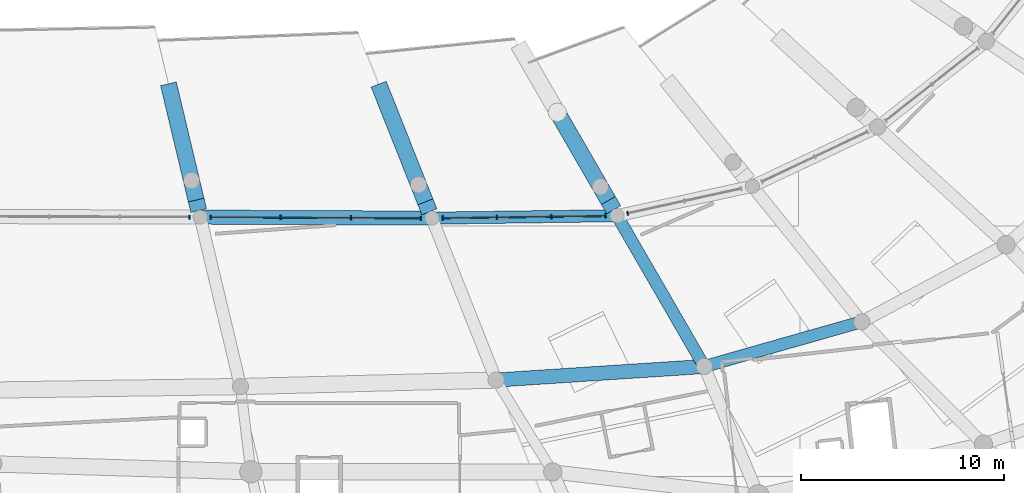
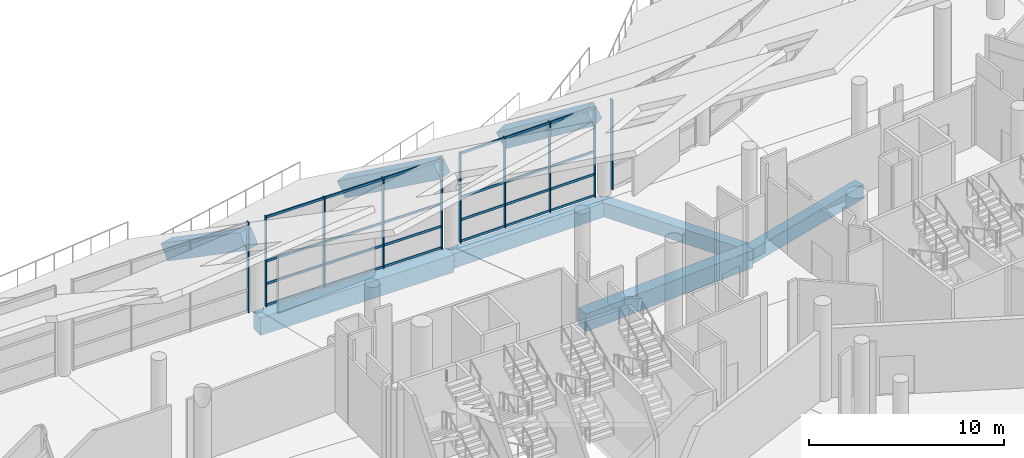
# One storey, part 34 of 249: 34 members, 8 beams, 4 elements without a shape of their own.
"""IFC4 building model written with IfcOpenShell, lengths in metres."""

from ifc_helpers import new_model, si_unit, direction, frame, origin, origin_2d, place, context, subcontext, project, spatial, rectangle, extrude, material, layer, layer_set, material_profile, profile_set, type_object, element, aggregate, save


model = new_model("IFC4")

# Units and contexts
model_context = context("Model", 3, precision=1e-05, world=origin(), true_north=direction((0.0, 1.0)))
body_context = subcontext(model_context, "Body", "Model", "MODEL_VIEW")
ifc_project = project(units=[si_unit("LENGTHUNIT", "METRE"), si_unit("AREAUNIT", "SQUARE_METRE"), si_unit("VOLUMEUNIT", "CUBIC_METRE"), si_unit("PLANEANGLEUNIT", "RADIAN"), si_unit("MASSUNIT", "GRAM", prefix="KILO")], contexts=[model_context])

# Site, building, storey
site_placement = place(None, origin())
site = spatial("IfcSite", under=ifc_project, at=site_placement, CompositionType="ELEMENT")
building_placement = place(site_placement, origin())
building = spatial("IfcBuilding", under=site, at=building_placement, Name="Meseta Stadium", CompositionType="ELEMENT")
storey_placement = place(building_placement, frame((0.0, 0.0, 12.0)))
storey = spatial("IfcBuildingStorey", under=building, at=storey_placement, Name="L02", CompositionType="ELEMENT", Elevation=12.0)

# Curtain wall, member
ifc_material_1 = material(Name="Aluminium", Category="aluminium")
ifc_layer = layer(ifc_material_1, 0.199951171875)
ifc_layer_set = layer_set([ifc_layer], Name="Suite glazing curtain wall")
curtain_wall_type = type_object("IfcCurtainWallType", Name="Suite glazing curtain wall", PredefinedType="NOTDEFINED", material=ifc_layer_set)
curtain_wall_1_placement = place(storey_placement, origin())
curtain_wall_1 = element("IfcCurtainWall", 1, at=curtain_wall_1_placement, inside=storey, type_object=curtain_wall_type, Name="Suite glazing bay 47", PredefinedType="NOTDEFINED")
ifc_material_2 = material(Name="Aluminium", Category="aluminium")
ifc_material_profile_1 = material_profile(ifc_material_2, rectangle(XDim=0.199951171875, YDim=0.06005859375, at=origin_2d()), Name="CW 200x60")
ifc_profile_set_1 = profile_set([ifc_material_profile_1], Name="Aluminium")
member_type_1 = type_object("IfcMemberType", Name="CW mullion 60x200", PredefinedType="MULLION", material=ifc_profile_set_1)
member_1_placement = place(storey_placement, frame((16.60400390625, -77.330810546875, 0.0), z_axis=(0.0, 0.0, 1.0), x_axis=(0.002485957037, 0.999996910004, 0.0)))
member_1 = element("IfcMember", 2, at=member_1_placement, type_object=member_type_1, Name="CWS mullion 4", PredefinedType="MULLION", context=body_context, shape_type="SweptSolid", body=[
    extrude(rectangle(XDim=0.199951171875, YDim=0.06005859375, at=origin_2d()), origin(), (0.0, 0.0, 1.0), 5.64990234375),
])
aggregate(curtain_wall_1, [member_1])

# Curtain wall, members
curtain_wall_2_placement = place(storey_placement, origin())
curtain_wall_2 = element("IfcCurtainWall", 3, at=curtain_wall_2_placement, inside=storey, type_object=curtain_wall_type, Name="Suite glazing bay 48", PredefinedType="NOTDEFINED")
member_2_placement = place(storey_placement, frame((17.6494140625, -77.33447265625, 0.0), z_axis=(0.0, 0.0, 1.0), x_axis=(0.004468565348, 0.999990015912, 0.0)))
member_2 = element("IfcMember", 4, at=member_2_placement, type_object=member_type_1, Name="CWS mullion 1", PredefinedType="MULLION", context=body_context, shape_type="SweptSolid", body=[
    extrude(rectangle(XDim=0.199951171875, YDim=0.06005859375, at=origin_2d()), origin(), (0.0, 0.0, 1.0), 5.64990234375),
])
member_3_placement = place(storey_placement, frame((21.095947265625, -77.349853515625, 0.0), z_axis=(0.0, 0.0, 1.0), x_axis=(0.004468565348, 0.999990015912, 0.0)))
member_3 = element("IfcMember", 5, at=member_3_placement, type_object=member_type_1, Name="CWS mullion 2", PredefinedType="MULLION", context=body_context, shape_type="SweptSolid", body=[
    extrude(rectangle(XDim=0.199951171875, YDim=0.06005859375, at=origin_2d()), origin(), (0.0, 0.0, 1.0), 5.64990234375),
])
member_4_placement = place(storey_placement, frame((24.572265625, -77.365478515625, 0.0), z_axis=(0.0, 0.0, 1.0), x_axis=(0.004468565348, 0.999990015912, 0.0)))
member_4 = element("IfcMember", 6, at=member_4_placement, type_object=member_type_1, Name="CWS mullion 3", PredefinedType="MULLION", context=body_context, shape_type="SweptSolid", body=[
    extrude(rectangle(XDim=0.199951171875, YDim=0.06005859375, at=origin_2d()), origin(), (0.0, 0.0, 1.0), 5.64990234375),
])
member_5_placement = place(storey_placement, frame((28.0185546875, -77.380859375, 0.0), z_axis=(0.0, 0.0, 1.0), x_axis=(0.004468565348, 0.999990015912, 0.0)))
member_5 = element("IfcMember", 7, at=member_5_placement, type_object=member_type_1, Name="CWS mullion 4", PredefinedType="MULLION", context=body_context, shape_type="SweptSolid", body=[
    extrude(rectangle(XDim=0.199951171875, YDim=0.06005859375, at=origin_2d()), origin(), (0.0, 0.0, 1.0), 5.64990234375),
])

curtain_wall_3_placement = place(storey_placement, origin())
curtain_wall_3 = element("IfcCurtainWall", 8, at=curtain_wall_3_placement, inside=storey, type_object=curtain_wall_type, Name="Suite glazing bay 49", PredefinedType="NOTDEFINED")
member_6_placement = place(storey_placement, frame((29.107421875, -77.3759765625, 0.0), z_axis=(0.0, 0.0, 1.0), x_axis=(-0.013281177042, 0.999911801279, 0.0)))
member_6 = element("IfcMember", 9, at=member_6_placement, type_object=member_type_1, Name="CWS mullion 1", PredefinedType="MULLION", context=body_context, shape_type="SweptSolid", body=[
    extrude(rectangle(XDim=0.199951171875, YDim=0.06005859375, at=origin_2d()), origin(), (0.0, 0.0, 1.0), 5.64990234375),
])
member_7_placement = place(storey_placement, frame((31.7724609375, -77.340576171875, 0.0), z_axis=(0.0, 0.0, 1.0), x_axis=(-0.013281177042, 0.999911801279, 0.0)))
member_7 = element("IfcMember", 10, at=member_7_placement, type_object=member_type_1, Name="CWS mullion 2", PredefinedType="MULLION", context=body_context, shape_type="SweptSolid", body=[
    extrude(rectangle(XDim=0.199951171875, YDim=0.06005859375, at=origin_2d()), origin(), (0.0, 0.0, 1.0), 5.64990234375),
])
member_8_placement = place(storey_placement, frame((34.4677734375, -77.3046875, 0.0), z_axis=(0.0, 0.0, 1.0), x_axis=(-0.013281177042, 0.999911801279, 0.0)))
member_8 = element("IfcMember", 11, at=member_8_placement, type_object=member_type_1, Name="CWS mullion 3", PredefinedType="MULLION", context=body_context, shape_type="SweptSolid", body=[
    extrude(rectangle(XDim=0.199951171875, YDim=0.06005859375, at=origin_2d()), origin(), (0.0, 0.0, 1.0), 5.64990234375),
])
member_9_placement = place(storey_placement, frame((37.1328125, -77.269287109375, 0.0), z_axis=(0.0, 0.0, 1.0), x_axis=(-0.013281177042, 0.999911801279, 0.0)))
member_9 = element("IfcMember", 12, at=member_9_placement, type_object=member_type_1, Name="CWS mullion 4", PredefinedType="MULLION", context=body_context, shape_type="SweptSolid", body=[
    extrude(rectangle(XDim=0.199951171875, YDim=0.06005859375, at=origin_2d()), origin(), (0.0, 0.0, 1.0), 5.64990234375),
])

# Curtain wall, member
curtain_wall_4_placement = place(storey_placement, origin())
curtain_wall_4 = element("IfcCurtainWall", 13, at=curtain_wall_4_placement, inside=storey, type_object=curtain_wall_type, Name="Suite glazing bay 50", PredefinedType="NOTDEFINED")
member_10_placement = place(storey_placement, frame((38.232421875, -77.148193359375, 0.0), z_axis=(0.0, 0.0, 1.0), x_axis=(-0.21291694712, 0.977070301273, 0.0)))
member_10 = element("IfcMember", 14, at=member_10_placement, type_object=member_type_1, Name="CWS mullion 1", PredefinedType="MULLION", context=body_context, shape_type="SweptSolid", body=[
    extrude(rectangle(XDim=0.199951171875, YDim=0.06005859375, at=origin_2d()), origin(), (0.0, 0.0, 1.0), 5.64990234375),
])
aggregate(curtain_wall_4, [member_10])

# Member
ifc_material_3 = material(Name="Aluminium", Category="aluminium")
ifc_material_profile_2 = material_profile(ifc_material_3, rectangle(XDim=0.06005859375, YDim=0.14990234375, at=origin_2d()), Name="CW 60x150")
ifc_profile_set_2 = profile_set([ifc_material_profile_2], Name="Aluminium")
member_type_2 = type_object("IfcMemberType", Name="CW transom 60x150", PredefinedType="USERDEFINED", material=ifc_profile_set_2)
member_11_placement = place(storey_placement, frame((17.679443359375, -77.33447265625, 0.074951171875), z_axis=(0.999990010786, -0.004469712398, 0.0), x_axis=(0.004469712398, 0.999990010786, 0.0)))
member_11 = element("IfcMember", 15, at=member_11_placement, type_object=member_type_2, Name="CWS transom 1.1", ObjectType="TRANSOM", PredefinedType="USERDEFINED", context=body_context, shape_type="SweptSolid", body=[
    extrude(rectangle(XDim=0.06005859375, YDim=0.14990234375, at=origin_2d()), origin(), (0.0, 0.0, 1.0), 3.386474609375),
])

member_12_placement = place(storey_placement, frame((17.679443359375, -77.33447265625, 1.41259765625), z_axis=(0.999990010786, -0.004469712398, 0.0), x_axis=(0.004469712398, 0.999990010786, 0.0)))
member_12 = element("IfcMember", 16, at=member_12_placement, type_object=member_type_2, Name="CWS transom 1.2", ObjectType="TRANSOM", PredefinedType="USERDEFINED", context=body_context, shape_type="SweptSolid", body=[
    extrude(rectangle(XDim=0.06005859375, YDim=0.14990234375, at=origin_2d()), origin(), (0.0, 0.0, 1.0), 3.386474609375),
])

member_13_placement = place(storey_placement, frame((17.679443359375, -77.33447265625, 2.824951171875), z_axis=(0.999990010786, -0.004469712398, 0.0), x_axis=(0.004469712398, 0.999990010786, 0.0)))
member_13 = element("IfcMember", 17, at=member_13_placement, type_object=member_type_2, Name="CWS transom 1.3", ObjectType="TRANSOM", PredefinedType="USERDEFINED", context=body_context, shape_type="SweptSolid", body=[
    extrude(rectangle(XDim=0.06005859375, YDim=0.14990234375, at=origin_2d()), origin(), (0.0, 0.0, 1.0), 3.386474609375),
])

member_14_placement = place(storey_placement, frame((17.679443359375, -77.33447265625, 5.574951171875), z_axis=(0.999990010786, -0.004469712398, 0.0), x_axis=(0.004469712398, 0.999990010786, 0.0)))
member_14 = element("IfcMember", 18, at=member_14_placement, type_object=member_type_2, Name="CWS transom 1.4", ObjectType="TRANSOM", PredefinedType="USERDEFINED", context=body_context, shape_type="SweptSolid", body=[
    extrude(rectangle(XDim=0.06005859375, YDim=0.14990234375, at=origin_2d()), origin(), (0.0, 0.0, 1.0), 3.386474609375),
])

member_15_placement = place(storey_placement, frame((21.1259765625, -77.349853515625, 0.074951171875), z_axis=(0.999989865021, -0.004502205495, 0.0), x_axis=(0.004502205495, 0.999989865021, 0.0)))
member_15 = element("IfcMember", 19, at=member_15_placement, type_object=member_type_2, Name="CWS transom 2.1", ObjectType="TRANSOM", PredefinedType="USERDEFINED", context=body_context, shape_type="SweptSolid", body=[
    extrude(rectangle(XDim=0.06005859375, YDim=0.14990234375, at=origin_2d()), origin(), (0.0, 0.0, 1.0), 3.416259765625),
])

member_16_placement = place(storey_placement, frame((21.1259765625, -77.349853515625, 1.41259765625), z_axis=(0.999989865021, -0.004502205495, 0.0), x_axis=(0.004502205495, 0.999989865021, 0.0)))
member_16 = element("IfcMember", 20, at=member_16_placement, type_object=member_type_2, Name="CWS transom 2.2", ObjectType="TRANSOM", PredefinedType="USERDEFINED", context=body_context, shape_type="SweptSolid", body=[
    extrude(rectangle(XDim=0.06005859375, YDim=0.14990234375, at=origin_2d()), origin(), (0.0, 0.0, 1.0), 3.416259765625),
])

member_17_placement = place(storey_placement, frame((21.1259765625, -77.349853515625, 2.824951171875), z_axis=(0.999989865021, -0.004502205495, 0.0), x_axis=(0.004502205495, 0.999989865021, 0.0)))
member_17 = element("IfcMember", 21, at=member_17_placement, type_object=member_type_2, Name="CWS transom 2.3", ObjectType="TRANSOM", PredefinedType="USERDEFINED", context=body_context, shape_type="SweptSolid", body=[
    extrude(rectangle(XDim=0.06005859375, YDim=0.14990234375, at=origin_2d()), origin(), (0.0, 0.0, 1.0), 3.416259765625),
])

member_18_placement = place(storey_placement, frame((21.1259765625, -77.349853515625, 5.574951171875), z_axis=(0.999989865021, -0.004502205495, 0.0), x_axis=(0.004502205495, 0.999989865021, 0.0)))
member_18 = element("IfcMember", 22, at=member_18_placement, type_object=member_type_2, Name="CWS transom 2.4", ObjectType="TRANSOM", PredefinedType="USERDEFINED", context=body_context, shape_type="SweptSolid", body=[
    extrude(rectangle(XDim=0.06005859375, YDim=0.14990234375, at=origin_2d()), origin(), (0.0, 0.0, 1.0), 3.416259765625),
])

member_19_placement = place(storey_placement, frame((24.602294921875, -77.365478515625, 0.074951171875), z_axis=(0.999990009345, -0.004470034649, 0.0), x_axis=(0.004470034649, 0.999990009345, 0.0)))
member_19 = element("IfcMember", 23, at=member_19_placement, type_object=member_type_2, Name="CWS transom 3.1", ObjectType="TRANSOM", PredefinedType="USERDEFINED", context=body_context, shape_type="SweptSolid", body=[
    extrude(rectangle(XDim=0.06005859375, YDim=0.14990234375, at=origin_2d()), origin(), (0.0, 0.0, 1.0), 3.38623046875),
])

member_20_placement = place(storey_placement, frame((24.602294921875, -77.365478515625, 1.41259765625), z_axis=(0.999990009345, -0.004470034649, 0.0), x_axis=(0.004470034649, 0.999990009345, 0.0)))
member_20 = element("IfcMember", 24, at=member_20_placement, type_object=member_type_2, Name="CWS transom 3.2", ObjectType="TRANSOM", PredefinedType="USERDEFINED", context=body_context, shape_type="SweptSolid", body=[
    extrude(rectangle(XDim=0.06005859375, YDim=0.14990234375, at=origin_2d()), origin(), (0.0, 0.0, 1.0), 3.38623046875),
])

member_21_placement = place(storey_placement, frame((24.602294921875, -77.365478515625, 2.824951171875), z_axis=(0.999990009345, -0.004470034649, 0.0), x_axis=(0.004470034649, 0.999990009345, 0.0)))
member_21 = element("IfcMember", 25, at=member_21_placement, type_object=member_type_2, Name="CWS transom 3.3", ObjectType="TRANSOM", PredefinedType="USERDEFINED", context=body_context, shape_type="SweptSolid", body=[
    extrude(rectangle(XDim=0.06005859375, YDim=0.14990234375, at=origin_2d()), origin(), (0.0, 0.0, 1.0), 3.38623046875),
])

member_22_placement = place(storey_placement, frame((24.602294921875, -77.365478515625, 5.574951171875), z_axis=(0.999990009345, -0.004470034649, 0.0), x_axis=(0.004470034649, 0.999990009345, 0.0)))
member_22 = element("IfcMember", 26, at=member_22_placement, type_object=member_type_2, Name="CWS transom 3.4", ObjectType="TRANSOM", PredefinedType="USERDEFINED", context=body_context, shape_type="SweptSolid", body=[
    extrude(rectangle(XDim=0.06005859375, YDim=0.14990234375, at=origin_2d()), origin(), (0.0, 0.0, 1.0), 3.38623046875),
])

aggregate(curtain_wall_2, [member_2, member_3, member_4, member_5, member_11, member_12, member_13, member_14, member_15, member_16, member_17, member_18, member_19, member_20, member_21, member_22])

member_23_placement = place(storey_placement, frame((29.137451171875, -77.37548828125, 0.074951171875), z_axis=(0.999912698337, 0.013213466773, 0.0), x_axis=(-0.013213466773, 0.999912698337, 0.0)))
member_23 = element("IfcMember", 27, at=member_23_placement, type_object=member_type_2, Name="CWS transom 1.1", ObjectType="TRANSOM", PredefinedType="USERDEFINED", context=body_context, shape_type="SweptSolid", body=[
    extrude(rectangle(XDim=0.06005859375, YDim=0.14990234375, at=origin_2d()), origin(), (0.0, 0.0, 1.0), 2.605224609375),
])

member_24_placement = place(storey_placement, frame((29.137451171875, -77.37548828125, 1.41259765625), z_axis=(0.999912698337, 0.013213466773, 0.0), x_axis=(-0.013213466773, 0.999912698337, 0.0)))
member_24 = element("IfcMember", 28, at=member_24_placement, type_object=member_type_2, Name="CWS transom 1.2", ObjectType="TRANSOM", PredefinedType="USERDEFINED", context=body_context, shape_type="SweptSolid", body=[
    extrude(rectangle(XDim=0.06005859375, YDim=0.14990234375, at=origin_2d()), origin(), (0.0, 0.0, 1.0), 2.605224609375),
])

member_25_placement = place(storey_placement, frame((29.137451171875, -77.37548828125, 2.824951171875), z_axis=(0.999912698337, 0.013213466773, 0.0), x_axis=(-0.013213466773, 0.999912698337, 0.0)))
member_25 = element("IfcMember", 29, at=member_25_placement, type_object=member_type_2, Name="CWS transom 1.3", ObjectType="TRANSOM", PredefinedType="USERDEFINED", context=body_context, shape_type="SweptSolid", body=[
    extrude(rectangle(XDim=0.06005859375, YDim=0.14990234375, at=origin_2d()), origin(), (0.0, 0.0, 1.0), 2.605224609375),
])

member_26_placement = place(storey_placement, frame((29.137451171875, -77.37548828125, 5.574951171875), z_axis=(0.999912698337, 0.013213466773, 0.0), x_axis=(-0.013213466773, 0.999912698337, 0.0)))
member_26 = element("IfcMember", 30, at=member_26_placement, type_object=member_type_2, Name="CWS transom 1.4", ObjectType="TRANSOM", PredefinedType="USERDEFINED", context=body_context, shape_type="SweptSolid", body=[
    extrude(rectangle(XDim=0.06005859375, YDim=0.14990234375, at=origin_2d()), origin(), (0.0, 0.0, 1.0), 2.605224609375),
])

member_27_placement = place(storey_placement, frame((31.802490234375, -77.340087890625, 0.074951171875), z_axis=(0.999912255463, 0.013246938348, 0.0), x_axis=(-0.013246938348, 0.999912255463, 0.0)))
member_27 = element("IfcMember", 31, at=member_27_placement, type_object=member_type_2, Name="CWS transom 2.1", ObjectType="TRANSOM", PredefinedType="USERDEFINED", context=body_context, shape_type="SweptSolid", body=[
    extrude(rectangle(XDim=0.06005859375, YDim=0.14990234375, at=origin_2d()), origin(), (0.0, 0.0, 1.0), 2.635498046875),
])

member_28_placement = place(storey_placement, frame((31.802490234375, -77.340087890625, 1.41259765625), z_axis=(0.999912255463, 0.013246938348, 0.0), x_axis=(-0.013246938348, 0.999912255463, 0.0)))
member_28 = element("IfcMember", 32, at=member_28_placement, type_object=member_type_2, Name="CWS transom 2.2", ObjectType="TRANSOM", PredefinedType="USERDEFINED", context=body_context, shape_type="SweptSolid", body=[
    extrude(rectangle(XDim=0.06005859375, YDim=0.14990234375, at=origin_2d()), origin(), (0.0, 0.0, 1.0), 2.635498046875),
])

member_29_placement = place(storey_placement, frame((31.802490234375, -77.340087890625, 2.824951171875), z_axis=(0.999912255463, 0.013246938348, 0.0), x_axis=(-0.013246938348, 0.999912255463, 0.0)))
member_29 = element("IfcMember", 33, at=member_29_placement, type_object=member_type_2, Name="CWS transom 2.3", ObjectType="TRANSOM", PredefinedType="USERDEFINED", context=body_context, shape_type="SweptSolid", body=[
    extrude(rectangle(XDim=0.06005859375, YDim=0.14990234375, at=origin_2d()), origin(), (0.0, 0.0, 1.0), 2.635498046875),
])

member_30_placement = place(storey_placement, frame((31.802490234375, -77.340087890625, 5.574951171875), z_axis=(0.999912255463, 0.013246938348, 0.0), x_axis=(-0.013246938348, 0.999912255463, 0.0)))
member_30 = element("IfcMember", 34, at=member_30_placement, type_object=member_type_2, Name="CWS transom 2.4", ObjectType="TRANSOM", PredefinedType="USERDEFINED", context=body_context, shape_type="SweptSolid", body=[
    extrude(rectangle(XDim=0.06005859375, YDim=0.14990234375, at=origin_2d()), origin(), (0.0, 0.0, 1.0), 2.635498046875),
])

member_31_placement = place(storey_placement, frame((34.49755859375, -77.304443359375, 0.074951171875), z_axis=(0.999911472382, 0.013305915948, 0.0), x_axis=(-0.013305915948, 0.999911472382, 0.0)))
member_31 = element("IfcMember", 35, at=member_31_placement, type_object=member_type_2, Name="CWS transom 3.1", ObjectType="TRANSOM", PredefinedType="USERDEFINED", context=body_context, shape_type="SweptSolid", body=[
    extrude(rectangle(XDim=0.06005859375, YDim=0.14990234375, at=origin_2d()), origin(), (0.0, 0.0, 1.0), 2.60546875),
])

member_32_placement = place(storey_placement, frame((34.49755859375, -77.304443359375, 1.41259765625), z_axis=(0.999911472382, 0.013305915948, 0.0), x_axis=(-0.013305915948, 0.999911472382, 0.0)))
member_32 = element("IfcMember", 36, at=member_32_placement, type_object=member_type_2, Name="CWS transom 3.2", ObjectType="TRANSOM", PredefinedType="USERDEFINED", context=body_context, shape_type="SweptSolid", body=[
    extrude(rectangle(XDim=0.06005859375, YDim=0.14990234375, at=origin_2d()), origin(), (0.0, 0.0, 1.0), 2.60546875),
])

member_33_placement = place(storey_placement, frame((34.49755859375, -77.304443359375, 2.824951171875), z_axis=(0.999911472382, 0.013305915948, 0.0), x_axis=(-0.013305915948, 0.999911472382, 0.0)))
member_33 = element("IfcMember", 37, at=member_33_placement, type_object=member_type_2, Name="CWS transom 3.3", ObjectType="TRANSOM", PredefinedType="USERDEFINED", context=body_context, shape_type="SweptSolid", body=[
    extrude(rectangle(XDim=0.06005859375, YDim=0.14990234375, at=origin_2d()), origin(), (0.0, 0.0, 1.0), 2.60546875),
])

member_34_placement = place(storey_placement, frame((34.49755859375, -77.304443359375, 5.574951171875), z_axis=(0.999911472382, 0.013305915948, 0.0), x_axis=(-0.013305915948, 0.999911472382, 0.0)))
member_34 = element("IfcMember", 38, at=member_34_placement, type_object=member_type_2, Name="CWS transom 3.4", ObjectType="TRANSOM", PredefinedType="USERDEFINED", context=body_context, shape_type="SweptSolid", body=[
    extrude(rectangle(XDim=0.06005859375, YDim=0.14990234375, at=origin_2d()), origin(), (0.0, 0.0, 1.0), 2.60546875),
])

aggregate(curtain_wall_3, [member_6, member_7, member_8, member_9, member_23, member_24, member_25, member_26, member_27, member_28, member_29, member_30, member_31, member_32, member_33, member_34])

# Beams
ifc_material_4 = material(Name="Concrete C40/50", Category="concrete")
ifc_material_profile_3 = material_profile(ifc_material_4, rectangle(XDim=0.60009765625, YDim=0.89990234375, at=origin_2d()), Name="RC 600x900")
ifc_profile_set_3 = profile_set([ifc_material_profile_3], Name="Concrete C40/50")
beam_type_1 = type_object("IfcBeamType", Name="RC beam 600x900", PredefinedType="BEAM", material=ifc_profile_set_3)
beam_1_placement = place(storey_placement, frame((28.564697265625, -77.38330078125, -0.800048828125), z_axis=(0.999911672388, 0.013290877405, 0.0), x_axis=(-0.013290877405, 0.999911672388, 0.0)))
element("IfcBeam", 39, at=beam_1_placement, inside=storey, type_object=beam_type_1, Name="L02 ring beam frame 49 line D", PredefinedType="BEAM", context=body_context, shape_type="SweptSolid", body=[
    extrude(rectangle(XDim=0.60009765625, YDim=0.89990234375, at=origin_2d()), origin(), (0.0, 0.0, 1.0), 9.147705078125),
])
beam_2_placement = place(storey_placement, frame((42.015380859375, -84.707275390625, -0.800048828125), z_axis=(0.961951325549, 0.273220876351, 0.0), x_axis=(-0.273220876351, 0.961951325549, 0.0)))
element("IfcBeam", 40, at=beam_2_placement, inside=storey, type_object=beam_type_1, Name="L02 ring beam frame 50 line E", PredefinedType="BEAM", context=body_context, shape_type="SweptSolid", body=[
    extrude(rectangle(XDim=0.60009765625, YDim=0.89990234375, at=origin_2d()), origin(), (0.0, 0.0, 1.0), 8.083251953125),
])
beam_3_placement = place(storey_placement, frame((37.711669921875, -77.26171875, -0.800048828125), z_axis=(0.500437453612, -0.865772692467, 0.0), x_axis=(0.865772692467, 0.500437453612, 0.0)))
element("IfcBeam", 41, at=beam_3_placement, inside=storey, type_object=beam_type_1, Name="L02 radial beam frame 50 line D to E", PredefinedType="BEAM", context=body_context, shape_type="SweptSolid", body=[
    extrude(rectangle(XDim=0.60009765625, YDim=0.89990234375, at=origin_2d()), origin(), (0.0, 0.0, 1.0), 8.599853515625),
])
ifc_material_5 = material(Name="Concrete C40/50", Category="concrete")
ifc_material_profile_4 = material_profile(ifc_material_5, rectangle(XDim=0.699951171875, YDim=1.10009765625, at=origin_2d()), Name="RC 700x1100")
ifc_profile_set_4 = profile_set([ifc_material_profile_4], Name="Concrete C40/50")
beam_type_2 = type_object("IfcBeamType", Name="RC beam 700x1100", PredefinedType="BEAM", material=ifc_profile_set_4)
beam_4_placement = place(storey_placement, frame((17.126708984375, -77.33203125, -0.89990234375), z_axis=(0.999989954239, -0.004482345579, 0.0), x_axis=(0.004482345579, 0.999989954239, 0.0)))
element("IfcBeam", 42, at=beam_4_placement, inside=storey, type_object=beam_type_2, Name="L02 ring beam frame 48 line D", PredefinedType="BEAM", context=body_context, shape_type="SweptSolid", body=[
    extrude(rectangle(XDim=0.699951171875, YDim=1.10009765625, at=origin_2d()), origin(), (0.0, 0.0, 1.0), 11.43798828125),
])
beam_5_placement = place(storey_placement, frame((31.73681640625, -85.376708984375, -0.89990234375), z_axis=(0.997885824096, 0.064991399959, 0.0), x_axis=(-0.064991399959, 0.997885824096, 0.0)))
element("IfcBeam", 43, at=beam_5_placement, inside=storey, type_object=beam_type_2, Name="L02 ring beam frame 49 line E", PredefinedType="BEAM", context=body_context, shape_type="SweptSolid", body=[
    extrude(rectangle(XDim=0.699951171875, YDim=1.10009765625, at=origin_2d()), origin(), (0.0, 0.0, 1.0), 10.30029296875),
])
ifc_material_6 = material(Name="Concrete C40/50", Category="concrete")
ifc_material_profile_5 = material_profile(ifc_material_6, rectangle(XDim=0.800048828125, YDim=1.0, at=origin_2d()), Name="RC 800x1000")
ifc_profile_set_5 = profile_set([ifc_material_profile_5], Name="Concrete C40/50")
beam_type_3 = type_object("IfcBeamType", Name="RC raker upper front 800x1000", PredefinedType="USERDEFINED", material=ifc_profile_set_5)
beam_6_placement = place(storey_placement, frame((15.62109375, -71.0087890625, 0.43505859375), z_axis=(0.196594877841, -0.825607178127, 0.528888685294), x_axis=(0.972800442507, 0.231644769116, 0.0)))
element("IfcBeam", 44, at=beam_6_placement, inside=storey, type_object=beam_type_3, Name="Raker upper front frame 48 upper tier", ObjectType="RAKER", PredefinedType="USERDEFINED", context=body_context, shape_type="SweptSolid", body=[
    extrude(rectangle(XDim=0.800048828125, YDim=1.0, at=origin_2d()), origin(), (0.0, 0.0, 1.0), 6.951904296875),
])
beam_7_placement = place(storey_placement, frame((26.03759765625, -71.014404296875, 0.74462890625), z_axis=(0.312985842876, -0.788744206684, 0.529076968486), x_axis=(0.929493898805, 0.368837487363, 0.0)))
element("IfcBeam", 45, at=beam_7_placement, inside=storey, type_object=beam_type_3, Name="Raker upper front frame 49 upper tier", ObjectType="RAKER", PredefinedType="USERDEFINED", context=body_context, shape_type="SweptSolid", body=[
    extrude(rectangle(XDim=0.800048828125, YDim=1.0, at=origin_2d()), origin(), (0.0, 0.0, 1.0), 7.367431640625),
])
beam_8_placement = place(storey_placement, frame((34.7607421875, -72.15625, 1.460693359375), z_axis=(0.424682874721, -0.734688075037, 0.529034864936), x_axis=(0.865764786309, 0.500451131268, 0.0)))
element("IfcBeam", 46, at=beam_8_placement, inside=storey, type_object=beam_type_3, Name="Raker upper front frame 50 upper tier", ObjectType="RAKER", PredefinedType="USERDEFINED", context=body_context, shape_type="SweptSolid", body=[
    extrude(rectangle(XDim=0.800048828125, YDim=1.0, at=origin_2d()), origin(), (0.0, 0.0, 1.0), 6.241943359375),
])

save(model, "model.ifc")
